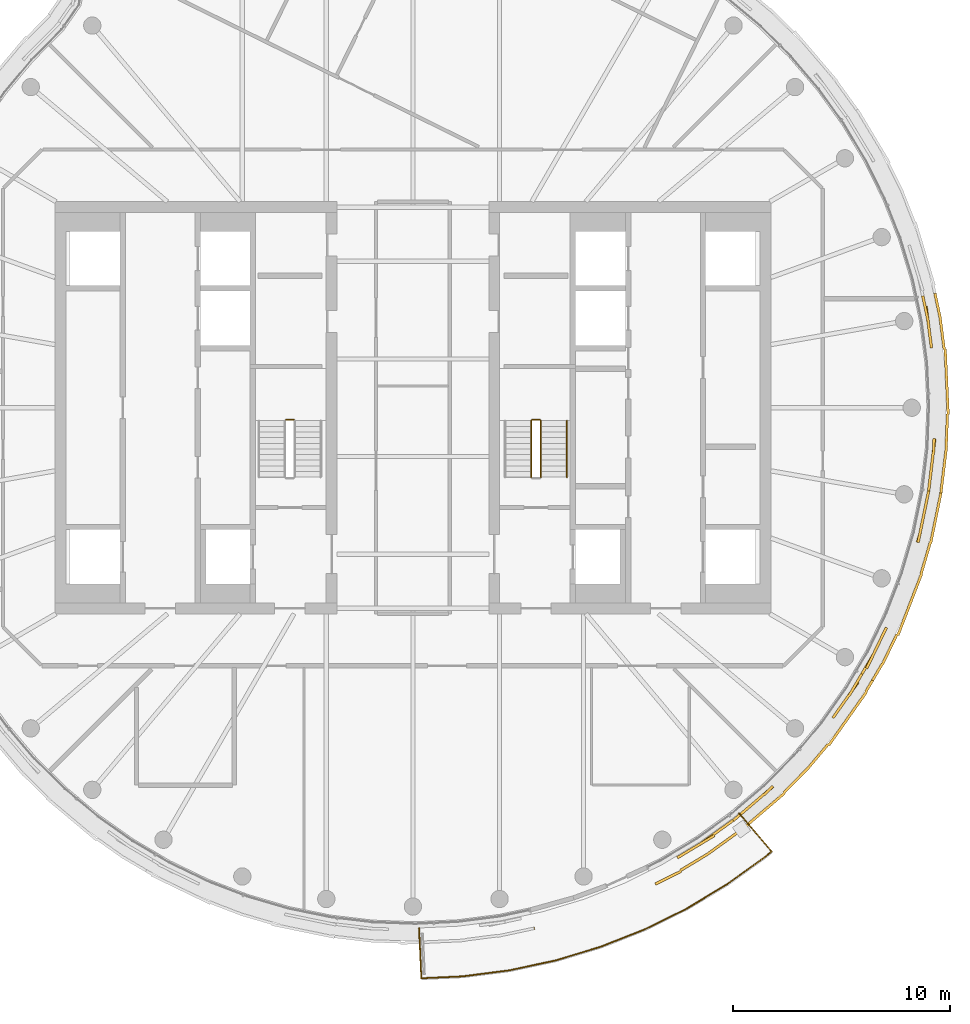
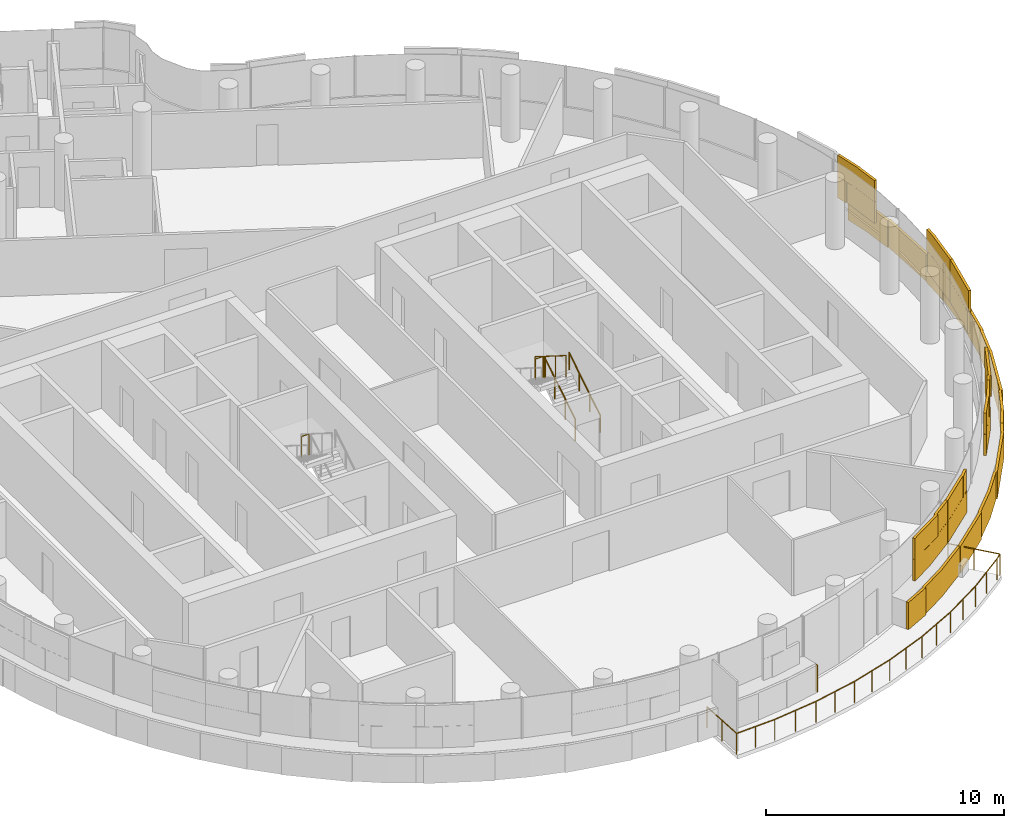
# One storey, part 18 of 21: 6 railings, 4 coverings.
"""IFC4 building model written with IfcOpenShell, lengths in metres."""

from ifc_helpers import new_model, si_unit, direction, frame, origin, origin_2d, place, context, subcontext, project, spatial, rectangle, circle, extrude, material, layer, layer_set, type_object, element, save


model = new_model("IFC4")

# Units and contexts
model_context = context("Model", 3, precision=1e-05, world=origin(), true_north=direction((0.0, 1.0)))
body_context = subcontext(model_context, "Body", "Model", "MODEL_VIEW")
ifc_project = project(units=[si_unit("LENGTHUNIT", "METRE"), si_unit("AREAUNIT", "SQUARE_METRE"), si_unit("VOLUMEUNIT", "CUBIC_METRE"), si_unit("PLANEANGLEUNIT", "RADIAN"), si_unit("MASSUNIT", "GRAM", prefix="KILO")], contexts=[model_context])

# Site, building, storey
site_placement = place(None, origin())
site = spatial("IfcSite", under=ifc_project, at=site_placement, CompositionType="ELEMENT")
building_placement = place(site_placement, origin())
building = spatial("IfcBuilding", under=site, at=building_placement, Name="Tamarind Cross Interchange Tower", CompositionType="ELEMENT")
storey_placement = place(building_placement, frame((0.0, 0.0, 264.0)))
storey = spatial("IfcBuildingStorey", under=building, at=storey_placement, Name="L67", CompositionType="ELEMENT", Elevation=264.0)

# Railings
ifc_material_1 = material(Name="Stainless steel and laminated glass", Category="steel")
railing_type_1 = type_object("IfcRailingType", Name="Balcony guard", PredefinedType="BALUSTRADE", material=ifc_material_1)
railing_1_placement = place(storey_placement, frame((0.281982421875, -23.987548828125, 0.0)))
element("IfcRailing", 1, at=railing_1_placement, inside=storey, type_object=railing_type_1, Name="Balcony guard 01", PredefinedType="BALUSTRADE", context=body_context, shape_type="SweptSolid", body=[
    extrude(circle(Radius=0.02490234375, at=origin_2d()), frame((0.0, 0.0, 1.0751953125), z_axis=(0.045565181947, -0.998961367719, 0.0), x_axis=(0.998961367719, 0.045565181947, 0.0)), (0.0, 0.0, 1.0), 2.320068359375),
    extrude(circle(Radius=0.02490234375, at=origin_2d()), frame((0.105712890625, -2.317626953125, 1.0751953125), z_axis=(0.998959514627, 0.045605790598, 0.0), x_axis=(-0.045605790598, 0.998959514627, 0.0)), (0.0, 0.0, 1.0), 1.900390625),
    extrude(circle(Radius=0.02490234375, at=origin_2d()), frame((2.004150390625, -2.23095703125, 1.0751953125), z_axis=(0.991779704699, 0.127957091824, 0.0), x_axis=(-0.127957091824, 0.991779704699, 0.0)), (0.0, 0.0, 1.0), 2.175048828125),
    extrude(circle(Radius=0.02490234375, at=origin_2d()), frame((4.161376953125, -1.95263671875, 1.0751953125), z_axis=(0.977822119933, 0.209437106955, 0.0), x_axis=(-0.209437106955, 0.977822119933, 0.0)), (0.0, 0.0, 1.0), 2.17529296875),
    extrude(circle(Radius=0.02490234375, at=origin_2d()), frame((6.288330078125, -1.4970703125, 1.0751953125), z_axis=(0.957187563191, 0.289468424656, 0.0), x_axis=(-0.289468424656, 0.957187563191, 0.0)), (0.0, 0.0, 1.0), 2.175048828125),
    extrude(circle(Radius=0.02490234375, at=origin_2d()), frame((8.370361328125, -0.867431640625, 1.0751953125), z_axis=(0.930047255074, 0.367439931593, 0.0), x_axis=(-0.367439931593, 0.930047255074, 0.0)), (0.0, 0.0, 1.0), 2.17529296875),
    extrude(circle(Radius=0.02490234375, at=origin_2d()), frame((10.3935546875, -0.068115234375, 1.0751953125), z_axis=(0.896460627491, 0.443123395184, 0.0), x_axis=(-0.443123395184, 0.896460627491, 0.0)), (0.0, 0.0, 1.0), 2.175048828125),
    extrude(circle(Radius=0.02490234375, at=origin_2d()), frame((12.343505859375, 0.895751953125, 1.0751953125), z_axis=(0.85686835227, 0.515535281894, 0.0), x_axis=(-0.515535281894, 0.85686835227, 0.0)), (0.0, 0.0, 1.0), 2.175048828125),
    extrude(circle(Radius=0.02490234375, at=origin_2d()), frame((14.207275390625, 2.01708984375, 1.0751953125), z_axis=(0.811315026637, 0.584609209261, 0.0), x_axis=(-0.584609209261, 0.811315026637, 0.0)), (0.0, 0.0, 1.0), 2.17529296875),
    extrude(circle(Radius=0.02490234375, at=origin_2d()), frame((15.97216796875, 3.288818359375, 1.0751953125), z_axis=(0.760225572239, 0.649659202439, 0.0), x_axis=(-0.649659202439, 0.760225572239, 0.0)), (0.0, 0.0, 1.0), 0.373046875),
    extrude(circle(Radius=0.02490234375, at=origin_2d()), frame((16.255859375, 3.53125, 1.0751953125), z_axis=(-0.649585978216, 0.760288140711, 0.0), x_axis=(-0.760288140711, -0.649585978216, 0.0)), (0.0, 0.0, 1.0), 2.320068359375),
    extrude(circle(Radius=0.02001953125, at=origin_2d()), origin(), (0.0, 0.0, 1.0), 1.050048828125),
    extrude(circle(Radius=0.02001953125, at=origin_2d()), frame((0.052734375, -1.15869140625, 0.0)), (0.0, 0.0, 1.0), 1.050048828125),
    extrude(circle(Radius=0.02001953125, at=origin_2d()), frame((0.105712890625, -2.317626953125, 0.0)), (0.0, 0.0, 1.0), 1.050048828125),
    extrude(circle(Radius=0.02001953125, at=origin_2d()), frame((1.054931640625, -2.2744140625, 0.0)), (0.0, 0.0, 1.0), 1.050048828125),
    extrude(circle(Radius=0.02001953125, at=origin_2d()), frame((2.004150390625, -2.23095703125, 0.0)), (0.0, 0.0, 1.0), 1.050048828125),
    extrude(circle(Radius=0.02001953125, at=origin_2d()), frame((3.082763671875, -2.091796875, 0.0)), (0.0, 0.0, 1.0), 1.050048828125),
    extrude(circle(Radius=0.02001953125, at=origin_2d()), frame((4.161376953125, -1.95263671875, 0.0)), (0.0, 0.0, 1.0), 1.050048828125),
    extrude(circle(Radius=0.02001953125, at=origin_2d()), frame((5.224853515625, -1.724853515625, 0.0)), (0.0, 0.0, 1.0), 1.050048828125),
    extrude(circle(Radius=0.02001953125, at=origin_2d()), frame((6.288330078125, -1.4970703125, 0.0)), (0.0, 0.0, 1.0), 1.050048828125),
    extrude(circle(Radius=0.02001953125, at=origin_2d()), frame((7.329345703125, -1.18212890625, 0.0)), (0.0, 0.0, 1.0), 1.050048828125),
    extrude(circle(Radius=0.02001953125, at=origin_2d()), frame((8.370361328125, -0.867431640625, 0.0)), (0.0, 0.0, 1.0), 1.050048828125),
    extrude(circle(Radius=0.02001953125, at=origin_2d()), frame((9.3818359375, -0.4677734375, 0.0)), (0.0, 0.0, 1.0), 1.050048828125),
    extrude(circle(Radius=0.02001953125, at=origin_2d()), frame((10.3935546875, -0.068115234375, 0.0)), (0.0, 0.0, 1.0), 1.050048828125),
    extrude(circle(Radius=0.02001953125, at=origin_2d()), frame((11.36865234375, 0.413818359375, 0.0)), (0.0, 0.0, 1.0), 1.050048828125),
    extrude(circle(Radius=0.02001953125, at=origin_2d()), frame((12.343505859375, 0.895751953125, 0.0)), (0.0, 0.0, 1.0), 1.050048828125),
    extrude(circle(Radius=0.02001953125, at=origin_2d()), frame((13.275390625, 1.45654296875, 0.0)), (0.0, 0.0, 1.0), 1.050048828125),
    extrude(circle(Radius=0.02001953125, at=origin_2d()), frame((14.207275390625, 2.01708984375, 0.0)), (0.0, 0.0, 1.0), 1.050048828125),
    extrude(circle(Radius=0.02001953125, at=origin_2d()), frame((15.08984375, 2.65283203125, 0.0)), (0.0, 0.0, 1.0), 1.050048828125),
    extrude(circle(Radius=0.02001953125, at=origin_2d()), frame((15.97216796875, 3.288818359375, 0.0)), (0.0, 0.0, 1.0), 1.050048828125),
    extrude(circle(Radius=0.02001953125, at=origin_2d()), frame((16.255859375, 3.53125, 0.0)), (0.0, 0.0, 1.0), 1.050048828125),
    extrude(circle(Radius=0.02001953125, at=origin_2d()), frame((15.50244140625, 4.4130859375, 0.0)), (0.0, 0.0, 1.0), 1.050048828125),
    extrude(circle(Radius=0.02001953125, at=origin_2d()), frame((14.748779296875, 5.295166015625, 0.0)), (0.0, 0.0, 1.0), 1.050048828125),
])
ifc_material_2 = material(Name="Stair guard")
railing_type_2 = type_object("IfcRailingType", Name="Stair guard", PredefinedType="GUARDRAIL", material=ifc_material_2)
railing_2_placement = place(storey_placement, frame((-5.5, -0.550048828125, 1.800048828125)))
element("IfcRailing", 2, at=railing_2_placement, inside=storey, type_object=railing_type_2, Name="L67 ST1 stair guard 2", PredefinedType="GUARDRAIL", context=body_context, shape_type="SweptSolid", body=[
    extrude(circle(Radius=0.02392578125, at=origin_2d()), frame((0.0, 0.0, 1.076171875), z_axis=(-1.0, 0.0, 0.0), x_axis=(0.0, -1.0, 0.0)), (0.0, 0.0, 1.0), 0.35009765625),
    extrude(circle(Radius=0.02099609375, at=origin_2d()), origin(), (0.0, 0.0, 1.0), 1.052001953125),
    extrude(circle(Radius=0.02099609375, at=origin_2d()), frame((-0.35009765625, 0.0, 0.0)), (0.0, 0.0, 1.0), 1.052001953125),
])
railing_3_placement = place(storey_placement, frame((5.89990234375, -3.199951171875, 0.16357421875)))
element("IfcRailing", 3, at=railing_3_placement, inside=storey, type_object=railing_type_2, Name="L67 ST2 stair guard 1", PredefinedType="GUARDRAIL", context=body_context, shape_type="SweptSolid", body=[
    extrude(circle(Radius=0.02392578125, at=origin_2d()), frame((0.0, 0.0, 1.076171875), z_axis=(0.0, 0.846301844409, 0.532703658848), x_axis=(-1.0, 0.0, 0.0)), (0.0, 0.0, 1.0), 3.072021484375),
    extrude(circle(Radius=0.02099609375, at=origin_2d()), origin(), (0.0, 0.0, 1.0), 1.052001953125),
    extrude(circle(Radius=0.02099609375, at=origin_2d()), frame((0.0, 0.86669921875, 0.54541015625)), (0.0, 0.0, 1.0), 1.052001953125),
    extrude(circle(Radius=0.02099609375, at=origin_2d()), frame((0.0, 1.733154296875, 1.091064453125)), (0.0, 0.0, 1.0), 1.052001953125),
    extrude(circle(Radius=0.02099609375, at=origin_2d()), frame((0.0, 2.599853515625, 1.636474609375)), (0.0, 0.0, 1.0), 1.052001953125),
])
railing_4_placement = place(storey_placement, frame((5.85009765625, -0.550048828125, 1.800048828125)))
element("IfcRailing", 4, at=railing_4_placement, inside=storey, type_object=railing_type_2, Name="L67 ST2 stair guard 2", PredefinedType="GUARDRAIL", context=body_context, shape_type="SweptSolid", body=[
    extrude(circle(Radius=0.02392578125, at=origin_2d()), frame((0.0, 0.0, 1.076171875), z_axis=(-1.0, 0.0, 0.0), x_axis=(0.0, -1.0, 0.0)), (0.0, 0.0, 1.0), 0.35009765625),
    extrude(circle(Radius=0.02099609375, at=origin_2d()), origin(), (0.0, 0.0, 1.0), 1.052001953125),
    extrude(circle(Radius=0.02099609375, at=origin_2d()), frame((-0.35009765625, 0.0, 0.0)), (0.0, 0.0, 1.0), 1.052001953125),
])
railing_5_placement = place(storey_placement, frame((5.449951171875, -0.60009765625, 1.963623046875)))
element("IfcRailing", 5, at=railing_5_placement, inside=storey, type_object=railing_type_2, Name="L67 ST2 stair guard 3", PredefinedType="GUARDRAIL", context=body_context, shape_type="SweptSolid", body=[
    extrude(circle(Radius=0.02392578125, at=origin_2d()), frame((0.0, 0.0, 1.076171875), z_axis=(0.0, -0.846301844409, 0.532703658848), x_axis=(1.0, 0.0, 0.0)), (0.0, 0.0, 1.0), 3.072021484375),
    extrude(circle(Radius=0.02099609375, at=origin_2d()), origin(), (0.0, 0.0, 1.0), 1.052001953125),
    extrude(circle(Radius=0.02099609375, at=origin_2d()), frame((0.0, -0.86669921875, 0.54541015625)), (0.0, 0.0, 1.0), 1.052001953125),
    extrude(circle(Radius=0.02099609375, at=origin_2d()), frame((0.0, -1.733154296875, 1.091064453125)), (0.0, 0.0, 1.0), 1.052001953125),
    extrude(circle(Radius=0.02099609375, at=origin_2d()), frame((0.0, -2.599853515625, 1.636474609375)), (0.0, 0.0, 1.0), 1.052001953125),
])
ifc_material_3 = material(Name="Stair handrail")
railing_type_3 = type_object("IfcRailingType", Name="Stair handrail", PredefinedType="HANDRAIL", material=ifc_material_3)
railing_6_placement = place(storey_placement, frame((7.10009765625, -3.199951171875, 0.16357421875)))
element("IfcRailing", 6, at=railing_6_placement, inside=storey, type_object=railing_type_3, Name="L67 ST2 stair handrail 1", PredefinedType="HANDRAIL", context=body_context, shape_type="SweptSolid", body=[
    extrude(circle(Radius=0.02392578125, at=origin_2d()), frame((0.0, 0.0, 0.8759765625), z_axis=(0.0, 0.846301844409, 0.532703658848), x_axis=(-1.0, 0.0, 0.0)), (0.0, 0.0, 1.0), 3.072021484375),
    extrude(circle(Radius=0.02099609375, at=origin_2d()), origin(), (0.0, 0.0, 1.0), 0.851806640625),
    extrude(circle(Radius=0.02099609375, at=origin_2d()), frame((0.0, 0.86669921875, 0.54541015625)), (0.0, 0.0, 1.0), 0.851806640625),
    extrude(circle(Radius=0.02099609375, at=origin_2d()), frame((0.0, 1.733154296875, 1.091064453125)), (0.0, 0.0, 1.0), 0.851806640625),
    extrude(circle(Radius=0.02099609375, at=origin_2d()), frame((0.0, 2.599853515625, 1.636474609375)), (0.0, 0.0, 1.0), 0.851806640625),
])

# Coverings
ifc_material_4 = material(Name="Terracotta", Category="masonry")
ifc_layer = layer(ifc_material_4, 0.1201171875)
ifc_layer_set = layer_set([ifc_layer], Name="Terracotta")
covering_type = type_object("IfcCoveringType", Name="Terracotta baguette screen unit", PredefinedType="MOLDING", material=ifc_layer_set)
covering_1_placement = place(storey_placement, origin())
element("IfcCovering", 7, at=covering_1_placement, inside=storey, type_object=covering_type, Name="SCR-L67-01-08", PredefinedType="MOLDING", context=body_context, shape_type="SweptSolid", body=[
    extrude(rectangle(XDim=1.23291015625, YDim=0.1201171875, at=origin_2d()), frame((12.71728515625, -20.433837890625, 1.40380859375), z_axis=(0.0, 0.0, 1.0), x_axis=(0.856843065292, 0.515577308909, 0.0)), (0.0, 0.0, 1.0), 1.092041015625),
    extrude(rectangle(XDim=1.52001953125, YDim=0.1201171875, at=origin_2d()), frame((13.850830078125, -19.681640625, 1.40380859375), z_axis=(0.0, 0.0, 1.0), x_axis=(0.811340475102, 0.584573890505, 0.0)), (0.0, 0.0, 1.0), 1.092041015625),
    extrude(rectangle(XDim=0.380859375, YDim=0.1201171875, at=origin_2d()), frame((14.60986328125, -19.135009765625, 1.40380859375), z_axis=(0.0, 0.0, 1.0), x_axis=(0.811340475102, 0.584573890505, 0.0)), (0.0, 0.0, 1.0), 1.092041015625),
    extrude(rectangle(XDim=0.48291015625, YDim=0.1201171875, at=origin_2d()), frame((12.39599609375, -20.627197265625, 2.50390625), z_axis=(0.0, 0.0, 1.0), x_axis=(0.856843065292, 0.515577308909, 0.0)), (0.0, 0.0, 1.0), 1.092041015625),
    extrude(rectangle(XDim=1.52001953125, YDim=0.1201171875, at=origin_2d()), frame((13.241455078125, -20.11865234375, 2.50390625), z_axis=(0.0, 0.0, 1.0), x_axis=(0.856843065292, 0.515577308909, 0.0)), (0.0, 0.0, 1.0), 1.092041015625),
    extrude(rectangle(XDim=1.130859375, YDim=0.1201171875, at=origin_2d()), frame((14.305419921875, -19.354248046875, 2.50390625), z_axis=(0.0, 0.0, 1.0), x_axis=(0.811340475102, 0.584573890505, 0.0)), (0.0, 0.0, 1.0), 1.092041015625),
    extrude(rectangle(XDim=0.03076171875, YDim=0.1201171875, at=origin_2d()), frame((5.5947265625, -24.0, 0.00390625), z_axis=(0.0, 0.0, 1.0), x_axis=(0.977824623121, 0.209425419705, 0.0)), (0.0, 0.0, 1.0), 1.39208984375),
    extrude(rectangle(XDim=1.327392578125, YDim=0.1201171875, at=origin_2d()), frame((11.771484375, -21.666748046875, 0.00390625), z_axis=(0.0, 0.0, 1.0), x_axis=(0.896492548518, 0.443058811505, 0.0)), (0.0, 0.0, 1.0), 1.39208984375),
    extrude(rectangle(XDim=1.52001953125, YDim=0.1201171875, at=origin_2d()), frame((12.976806640625, -20.94775390625, 0.00390625), z_axis=(0.0, 0.0, 1.0), x_axis=(0.856843065292, 0.515577308909, 0.0)), (0.0, 0.0, 1.0), 1.39208984375),
    extrude(rectangle(XDim=1.52001953125, YDim=0.1201171875, at=origin_2d()), frame((14.2255859375, -20.119140625, 0.00390625), z_axis=(0.0, 0.0, 1.0), x_axis=(0.811340475102, 0.584573890505, 0.0)), (0.0, 0.0, 1.0), 1.39208984375),
    extrude(rectangle(XDim=0.352783203125, YDim=0.1201171875, at=origin_2d()), frame((14.96923828125, -19.58349609375, 0.00390625), z_axis=(0.0, 0.0, 1.0), x_axis=(0.811340475102, 0.584573890505, 0.0)), (0.0, 0.0, 1.0), 1.39208984375),
])
covering_2_placement = place(storey_placement, origin())
element("IfcCovering", 8, at=covering_2_placement, inside=storey, type_object=covering_type, Name="SCR-L67-01-09", PredefinedType="MOLDING", context=body_context, shape_type="SweptSolid", body=[
    extrude(rectangle(XDim=1.13916015625, YDim=0.1201171875, at=origin_2d()), frame((15.19677734375, -18.6689453125, 1.40380859375), z_axis=(0.0, 0.0, 1.0), x_axis=(0.760295606781, 0.64957723968, 0.0)), (0.0, 0.0, 1.0), 1.092041015625),
    extrude(rectangle(XDim=1.30224609375, YDim=0.1201171875, at=origin_2d()), frame((16.1171875, -17.882568359375, 1.40380859375), z_axis=(0.0, 0.0, 1.0), x_axis=(0.760295606781, 0.64957723968, 0.0)), (0.0, 0.0, 1.0), 1.092041015625),
    extrude(rectangle(XDim=0.517822265625, YDim=0.1201171875, at=origin_2d()), frame((19.51025390625, -14.0908203125, 1.40380859375), z_axis=(0.0, 0.0, 1.0), x_axis=(0.577568978284, 0.816341886298, 0.0)), (0.0, 0.0, 1.0), 1.092041015625),
    extrude(rectangle(XDim=1.52001953125, YDim=0.1201171875, at=origin_2d()), frame((20.090087890625, -13.271240234375, 1.40380859375), z_axis=(0.0, 0.0, 1.0), x_axis=(0.577568978284, 0.816341886298, 0.0)), (0.0, 0.0, 1.0), 1.092041015625),
    extrude(rectangle(XDim=0.423583984375, YDim=0.1201171875, at=origin_2d()), frame((20.592041015625, -12.457275390625, 1.40380859375), z_axis=(0.0, 0.0, 1.0), x_axis=(0.508183308752, 0.861248933065, 0.0)), (0.0, 0.0, 1.0), 1.092041015625),
    extrude(rectangle(XDim=0.38916015625, YDim=0.1201171875, at=origin_2d()), frame((14.91162109375, -18.91259765625, 2.50390625), z_axis=(0.0, 0.0, 1.0), x_axis=(0.760295606781, 0.64957723968, 0.0)), (0.0, 0.0, 1.0), 1.092041015625),
    extrude(rectangle(XDim=1.52001953125, YDim=0.1201171875, at=origin_2d()), frame((15.6259765625, -18.30224609375, 2.50390625), z_axis=(0.0, 0.0, 1.0), x_axis=(0.760295606781, 0.64957723968, 0.0)), (0.0, 0.0, 1.0), 1.092041015625),
    extrude(rectangle(XDim=0.55224609375, YDim=0.1201171875, at=origin_2d()), frame((16.4013671875, -17.637939453125, 2.50390625), z_axis=(0.0, 0.0, 1.0), x_axis=(0.704057148523, 0.710143317658, 0.0)), (0.0, 0.0, 1.0), 1.092041015625),
    extrude(rectangle(XDim=1.267822265625, YDim=0.1201171875, at=origin_2d()), frame((19.726806640625, -13.78466796875, 2.50390625), z_axis=(0.0, 0.0, 1.0), x_axis=(0.577568978284, 0.816341886298, 0.0)), (0.0, 0.0, 1.0), 1.092041015625),
    extrude(rectangle(XDim=1.173583984375, YDim=0.1201171875, at=origin_2d()), frame((20.4013671875, -12.7802734375, 2.50390625), z_axis=(0.0, 0.0, 1.0), x_axis=(0.508183308752, 0.861248933065, 0.0)), (0.0, 0.0, 1.0), 1.092041015625),
    extrude(rectangle(XDim=1.167236328125, YDim=0.1201171875, at=origin_2d()), frame((15.5634765625, -19.11083984375, 0.00390625), z_axis=(0.0, 0.0, 1.0), x_axis=(0.760295606781, 0.64957723968, 0.0)), (0.0, 0.0, 1.0), 1.39208984375),
    extrude(rectangle(XDim=1.52001953125, YDim=0.1201171875, at=origin_2d()), frame((16.56982421875, -18.2509765625, 0.00390625), z_axis=(0.0, 0.0, 1.0), x_axis=(0.760295606781, 0.64957723968, 0.0)), (0.0, 0.0, 1.0), 1.39208984375),
    extrude(rectangle(XDim=1.52001953125, YDim=0.1201171875, at=origin_2d()), frame((17.641357421875, -17.202392578125, 0.00390625), z_axis=(0.0, 0.0, 1.0), x_axis=(0.704057148523, 0.710143317658, 0.0)), (0.0, 0.0, 1.0), 1.39208984375),
    extrude(rectangle(XDim=1.52001953125, YDim=0.1201171875, at=origin_2d()), frame((18.65576171875, -16.09912109375, 0.00390625), z_axis=(0.0, 0.0, 1.0), x_axis=(0.643009266048, 0.765858396687, 0.0)), (0.0, 0.0, 1.0), 1.39208984375),
    extrude(rectangle(XDim=1.52001953125, YDim=0.1201171875, at=origin_2d()), frame((19.610595703125, -14.94287109375, 0.00390625), z_axis=(0.0, 0.0, 1.0), x_axis=(0.577568978284, 0.816341886298, 0.0)), (0.0, 0.0, 1.0), 1.39208984375),
    extrude(rectangle(XDim=1.52001953125, YDim=0.1201171875, at=origin_2d()), frame((20.476806640625, -13.71826171875, 0.00390625), z_axis=(0.0, 0.0, 1.0), x_axis=(0.577568978284, 0.816341886298, 0.0)), (0.0, 0.0, 1.0), 1.39208984375),
    extrude(rectangle(XDim=0.611328125, YDim=0.1201171875, at=origin_2d()), frame((21.035400390625, -12.83544921875, 0.00390625), z_axis=(0.0, 0.0, 1.0), x_axis=(0.508183308752, 0.861248933065, 0.0)), (0.0, 0.0, 1.0), 1.39208984375),
])
covering_3_placement = place(storey_placement, origin())
element("IfcCovering", 9, at=covering_3_placement, inside=storey, type_object=covering_type, Name="SCR-L67-01-10", PredefinedType="MOLDING", context=body_context, shape_type="SweptSolid", body=[
    extrude(rectangle(XDim=1.096435546875, YDim=0.1201171875, at=origin_2d()), frame((20.97314453125, -11.8115234375, 1.40380859375), z_axis=(0.0, 0.0, 1.0), x_axis=(0.508183308752, 0.861248933065, 0.0)), (0.0, 0.0, 1.0), 1.092041015625),
    extrude(rectangle(XDim=1.344970703125, YDim=0.1201171875, at=origin_2d()), frame((21.537353515625, -10.741455078125, 1.40380859375), z_axis=(0.0, 0.0, 1.0), x_axis=(0.435326231914, 0.900272776334, 0.0)), (0.0, 0.0, 1.0), 1.092041015625),
    extrude(rectangle(XDim=0.47509765625, YDim=0.1201171875, at=origin_2d()), frame((23.326171875, -5.9765625, 1.40380859375), z_axis=(0.0, 0.0, 1.0), x_axis=(0.281208920763, 0.95964657186, 0.0)), (0.0, 0.0, 1.0), 1.092041015625),
    extrude(rectangle(XDim=1.52001953125, YDim=0.1201171875, at=origin_2d()), frame((23.537353515625, -5.017578125, 1.40380859375), z_axis=(0.0, 0.0, 1.0), x_axis=(0.201001463943, 0.9795909409, 0.0)), (0.0, 0.0, 1.0), 1.092041015625),
    extrude(rectangle(XDim=0.46630859375, YDim=0.1201171875, at=origin_2d()), frame((23.73388671875, -4.059326171875, 1.40380859375), z_axis=(0.0, 0.0, 1.0), x_axis=(0.201001463943, 0.9795909409, 0.0)), (0.0, 0.0, 1.0), 1.092041015625),
    extrude(rectangle(XDim=0.346435546875, YDim=0.1201171875, at=origin_2d()), frame((20.782470703125, -12.134521484375, 2.50390625), z_axis=(0.0, 0.0, 1.0), x_axis=(0.508183308752, 0.861248933065, 0.0)), (0.0, 0.0, 1.0), 1.092041015625),
    extrude(rectangle(XDim=1.52001953125, YDim=0.1201171875, at=origin_2d()), frame((21.246826171875, -11.34228515625, 2.50390625), z_axis=(0.0, 0.0, 1.0), x_axis=(0.435326231914, 0.900272776334, 0.0)), (0.0, 0.0, 1.0), 1.092041015625),
    extrude(rectangle(XDim=0.594970703125, YDim=0.1201171875, at=origin_2d()), frame((21.700439453125, -10.40380859375, 2.50390625), z_axis=(0.0, 0.0, 1.0), x_axis=(0.435326231914, 0.900272776334, 0.0)), (0.0, 0.0, 1.0), 1.092041015625),
    extrude(rectangle(XDim=1.22509765625, YDim=0.1201171875, at=origin_2d()), frame((23.415283203125, -5.612548828125, 2.50390625), z_axis=(0.0, 0.0, 1.0), x_axis=(0.201001463943, 0.9795909409, 0.0)), (0.0, 0.0, 1.0), 1.092041015625),
    extrude(rectangle(XDim=1.21630859375, YDim=0.1201171875, at=origin_2d()), frame((23.658447265625, -4.426513671875, 2.50390625), z_axis=(0.0, 0.0, 1.0), x_axis=(0.201001463943, 0.9795909409, 0.0)), (0.0, 0.0, 1.0), 1.092041015625),
    extrude(rectangle(XDim=0.90869140625, YDim=0.1201171875, at=origin_2d()), frame((21.421630859375, -12.180908203125, 0.00390625), z_axis=(0.0, 0.0, 1.0), x_axis=(0.508183308752, 0.861248933065, 0.0)), (0.0, 0.0, 1.0), 1.39208984375),
    extrude(rectangle(XDim=1.52001953125, YDim=0.1201171875, at=origin_2d()), frame((21.987060546875, -11.1298828125, 0.00390625), z_axis=(0.0, 0.0, 1.0), x_axis=(0.435326231914, 0.900272776334, 0.0)), (0.0, 0.0, 1.0), 1.39208984375),
    extrude(rectangle(XDim=1.52001953125, YDim=0.1201171875, at=origin_2d()), frame((22.637451171875, -9.7783203125, 0.00390625), z_axis=(0.0, 0.0, 1.0), x_axis=(0.359495435512, 0.933146843667, 0.0)), (0.0, 0.0, 1.0), 1.39208984375),
    extrude(rectangle(XDim=1.52001953125, YDim=0.1201171875, at=origin_2d()), frame((23.1767578125, -8.378662109375, 0.00390625), z_axis=(0.0, 0.0, 1.0), x_axis=(0.359495435512, 0.933146843667, 0.0)), (0.0, 0.0, 1.0), 1.39208984375),
    extrude(rectangle(XDim=1.52001953125, YDim=0.1201171875, at=origin_2d()), frame((23.63818359375, -6.95263671875, 0.00390625), z_axis=(0.0, 0.0, 1.0), x_axis=(0.281208920763, 0.95964657186, 0.0)), (0.0, 0.0, 1.0), 1.39208984375),
    extrude(rectangle(XDim=1.52001953125, YDim=0.1201171875, at=origin_2d()), frame((24.0234375, -5.504150390625, 0.00390625), z_axis=(0.0, 0.0, 1.0), x_axis=(0.201001463943, 0.9795909409, 0.0)), (0.0, 0.0, 1.0), 1.39208984375),
    extrude(rectangle(XDim=0.86962890625, YDim=0.1201171875, at=origin_2d()), frame((24.259521484375, -4.353271484375, 0.00390625), z_axis=(0.0, 0.0, 1.0), x_axis=(0.201001463943, 0.9795909409, 0.0)), (0.0, 0.0, 1.0), 1.39208984375),
])
covering_4_placement = place(storey_placement, origin())
element("IfcCovering", 10, at=covering_4_placement, inside=storey, type_object=covering_type, Name="SCR-L67-01-11", PredefinedType="MOLDING", context=body_context, shape_type="SweptSolid", body=[
    extrude(rectangle(XDim=1.053466796875, YDim=0.1201171875, at=origin_2d()), frame((23.83984375, -3.3173828125, 1.40380859375), z_axis=(0.0, 0.0, 1.0), x_axis=(0.119420963295, 0.992843710523, 0.0)), (0.0, 0.0, 1.0), 1.092041015625),
    extrude(rectangle(XDim=1.387939453125, YDim=0.1201171875, at=origin_2d()), frame((23.984619140625, -2.115234375, 1.40380859375), z_axis=(0.0, 0.0, 1.0), x_axis=(0.119420963295, 0.992843710523, 0.0)), (0.0, 0.0, 1.0), 1.092041015625),
    extrude(rectangle(XDim=0.431884765625, YDim=0.1201171875, at=origin_2d()), frame((23.88134765625, 2.972412109375, 1.40380859375), z_axis=(0.0, 0.0, 1.0), x_axis=(-0.127962008342, 0.991779070368, 0.0)), (0.0, 0.0, 1.0), 1.092041015625),
    extrude(rectangle(XDim=1.52001953125, YDim=0.1201171875, at=origin_2d()), frame((23.758544921875, 3.925537109375, 1.40380859375), z_axis=(0.0, 0.0, 1.0), x_axis=(-0.127962008342, 0.991779070368, 0.0)), (0.0, 0.0, 1.0), 1.092041015625),
    extrude(rectangle(XDim=0.509765625, YDim=0.1201171875, at=origin_2d()), frame((23.560546875, 4.9052734375, 1.40380859375), z_axis=(0.0, 0.0, 1.0), x_axis=(-0.209425419705, 0.977824623121, 0.0)), (0.0, 0.0, 1.0), 1.092041015625),
    extrude(rectangle(XDim=0.303466796875, YDim=0.1201171875, at=origin_2d()), frame((23.795166015625, -3.689697265625, 2.50390625), z_axis=(0.0, 0.0, 1.0), x_axis=(0.119420963295, 0.992843710523, 0.0)), (0.0, 0.0, 1.0), 1.092041015625),
    extrude(rectangle(XDim=1.52001953125, YDim=0.1201171875, at=origin_2d()), frame((23.902099609375, -2.79931640625, 2.50390625), z_axis=(0.0, 0.0, 1.0), x_axis=(0.119420963295, 0.992843710523, 0.0)), (0.0, 0.0, 1.0), 1.092041015625),
    extrude(rectangle(XDim=0.637939453125, YDim=0.1201171875, at=origin_2d()), frame((24.017333984375, -1.741943359375, 2.50390625), z_axis=(0.0, 0.0, 1.0), x_axis=(0.037024696392, 0.999314350871, 0.0)), (0.0, 0.0, 1.0), 1.092041015625),
    extrude(rectangle(XDim=1.181884765625, YDim=0.1201171875, at=origin_2d()), frame((23.83349609375, 3.344482421875, 2.50390625), z_axis=(0.0, 0.0, 1.0), x_axis=(-0.127962008342, 0.991779070368, 0.0)), (0.0, 0.0, 1.0), 1.092041015625),
    extrude(rectangle(XDim=1.259765625, YDim=0.1201171875, at=origin_2d()), frame((23.63916015625, 4.53857421875, 2.50390625), z_axis=(0.0, 0.0, 1.0), x_axis=(-0.209425419705, 0.977824623121, 0.0)), (0.0, 0.0, 1.0), 1.092041015625),
    extrude(rectangle(XDim=0.650146484375, YDim=0.1201171875, at=origin_2d()), frame((24.383544921875, -3.60400390625, 0.00390625), z_axis=(0.0, 0.0, 1.0), x_axis=(0.119420963295, 0.992843710523, 0.0)), (0.0, 0.0, 1.0), 1.39208984375),
    extrude(rectangle(XDim=1.52001953125, YDim=0.1201171875, at=origin_2d()), frame((24.5107421875, -2.54638671875, 0.00390625), z_axis=(0.0, 0.0, 1.0), x_axis=(0.119420963295, 0.992843710523, 0.0)), (0.0, 0.0, 1.0), 1.39208984375),
    extrude(rectangle(XDim=1.52001953125, YDim=0.1201171875, at=origin_2d()), frame((24.617431640625, -1.051513671875, 0.00390625), z_axis=(0.0, 0.0, 1.0), x_axis=(0.037024696392, 0.999314350871, 0.0)), (0.0, 0.0, 1.0), 1.39208984375),
    extrude(rectangle(XDim=1.52001953125, YDim=0.1201171875, at=origin_2d()), frame((24.644775390625, 0.447265625, 0.00390625), z_axis=(0.0, 0.0, 1.0), x_axis=(-0.045624486728, 0.998958660912, 0.0)), (0.0, 0.0, 1.0), 1.39208984375),
    extrude(rectangle(XDim=1.52001953125, YDim=0.1201171875, at=origin_2d()), frame((24.576171875, 1.94580078125, 0.00390625), z_axis=(0.0, 0.0, 1.0), x_axis=(-0.045624486728, 0.998958660912, 0.0)), (0.0, 0.0, 1.0), 1.39208984375),
    extrude(rectangle(XDim=1.52001953125, YDim=0.1201171875, at=origin_2d()), frame((24.400634765625, 3.434814453125, 0.00390625), z_axis=(0.0, 0.0, 1.0), x_axis=(-0.127962008342, 0.991779070368, 0.0)), (0.0, 0.0, 1.0), 1.39208984375),
    extrude(rectangle(XDim=1.128662109375, YDim=0.1201171875, at=origin_2d()), frame((24.187255859375, 4.720458984375, 0.00390625), z_axis=(0.0, 0.0, 1.0), x_axis=(-0.209425419705, 0.977824623121, 0.0)), (0.0, 0.0, 1.0), 1.39208984375),
])

save(model, "model.ifc")
